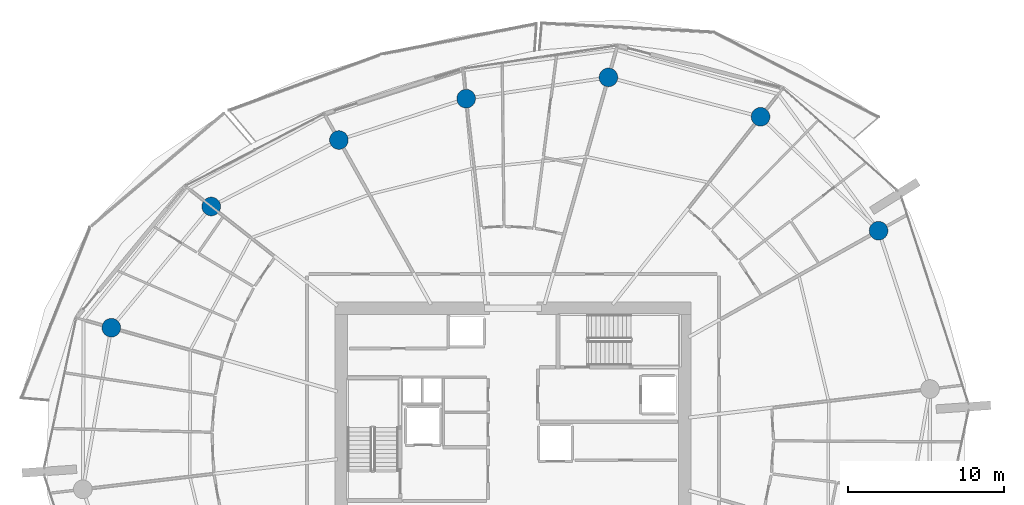
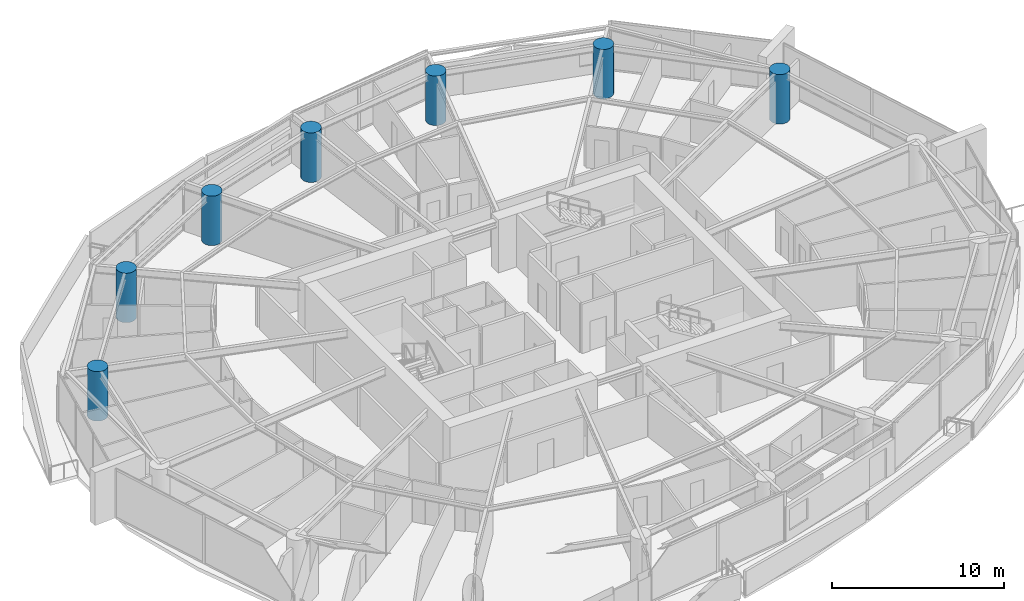
# One storey, part 4 of 23: 7 columns.
"""IFC4 building model written with IfcOpenShell, lengths in metres."""

from ifc_helpers import new_model, si_unit, direction, frame, origin, origin_2d, place, context, subcontext, project, spatial, circle, extrude, material, material_profile, profile_set, type_object, element, save


model = new_model("IFC4")

# Units and contexts
model_context = context("Model", 3, precision=1e-05, world=origin(), true_north=direction((0.0, 1.0)))
body_context = subcontext(model_context, "Body", "Model", "MODEL_VIEW")
ifc_project = project(units=[si_unit("LENGTHUNIT", "METRE"), si_unit("AREAUNIT", "SQUARE_METRE"), si_unit("VOLUMEUNIT", "CUBIC_METRE"), si_unit("PLANEANGLEUNIT", "RADIAN"), si_unit("MASSUNIT", "GRAM", prefix="KILO")], contexts=[model_context])

# Site, building, storey
site_placement = place(None, origin())
site = spatial("IfcSite", under=ifc_project, at=site_placement, CompositionType="ELEMENT")
building_placement = place(site_placement, origin())
building = spatial("IfcBuilding", under=site, at=building_placement, Name="Kazma Halo Residences", CompositionType="ELEMENT")
storey_placement = place(building_placement, frame((0.0, 0.0, 82.64990234375)))
storey = spatial("IfcBuildingStorey", under=building, at=storey_placement, Name="L20", CompositionType="ELEMENT", Elevation=82.64990234375)

# Columns
ifc_material = material(Name="Concrete C80/95", Category="concrete")
ifc_material_profile = material_profile(ifc_material, circle(Radius=0.60009765625, at=origin_2d()), Name="CIRC1200")
ifc_profile_set = profile_set([ifc_material_profile], Name="Concrete C80/95")
column_type = type_object("IfcColumnType", Name="COL-PERIM-1200", PredefinedType="COLUMN", material=ifc_profile_set)
for number, where, z_axis, x_axis, name in (
    (1, (71.9033203125, 55.386474609375, 0.0), (0.0, 0.0, 1.0), (1.0, 0.0, 0.0), "L20 perimeter ring column P01"),
    (2, (64.323486328125, 62.706298828125, 0.0), (0.0, 0.0, 1.0), (1.0, 0.0, 0.0), "L20 perimeter ring column P02"),
    (3, (54.552734375, 65.234130859375, 0.0), (0.0, 0.0, 1.0), (1.0, 0.0, 0.0), "L20 perimeter ring column P03"),
    (4, (45.41162109375, 63.869140625, 0.0), (0.0, 0.0, 1.0), (1.0, 0.0, 0.0), "L20 perimeter ring column P04"),
    (5, (37.23974609375, 61.2138671875, 0.0), (0.0, 0.0, 1.0), (1.0, 0.0, 0.0), "L20 perimeter ring column P05"),
    (6, (29.0419921875, 56.9453125, 0.0), (0.0, 0.0, 1.0), (1.0, 0.0, 0.0), "L20 perimeter ring column P06"),
    (7, (22.623291015625, 49.156982421875, 0.0), (0.0, 0.0, 1.0), (1.0, 0.0, 0.0), "L20 perimeter ring column P07"),
):
    element("IfcColumn", number, at=place(storey_placement, frame(where, z_axis=z_axis, x_axis=x_axis)), inside=storey, type_object=column_type, Name=name, PredefinedType="COLUMN", context=body_context, shape_type="SweptSolid", body=[
        extrude(circle(Radius=0.60009765625, at=origin_2d()), origin(), (0.0, 0.0, 1.0), 3.5),
    ])

save(model, "model.ifc")
